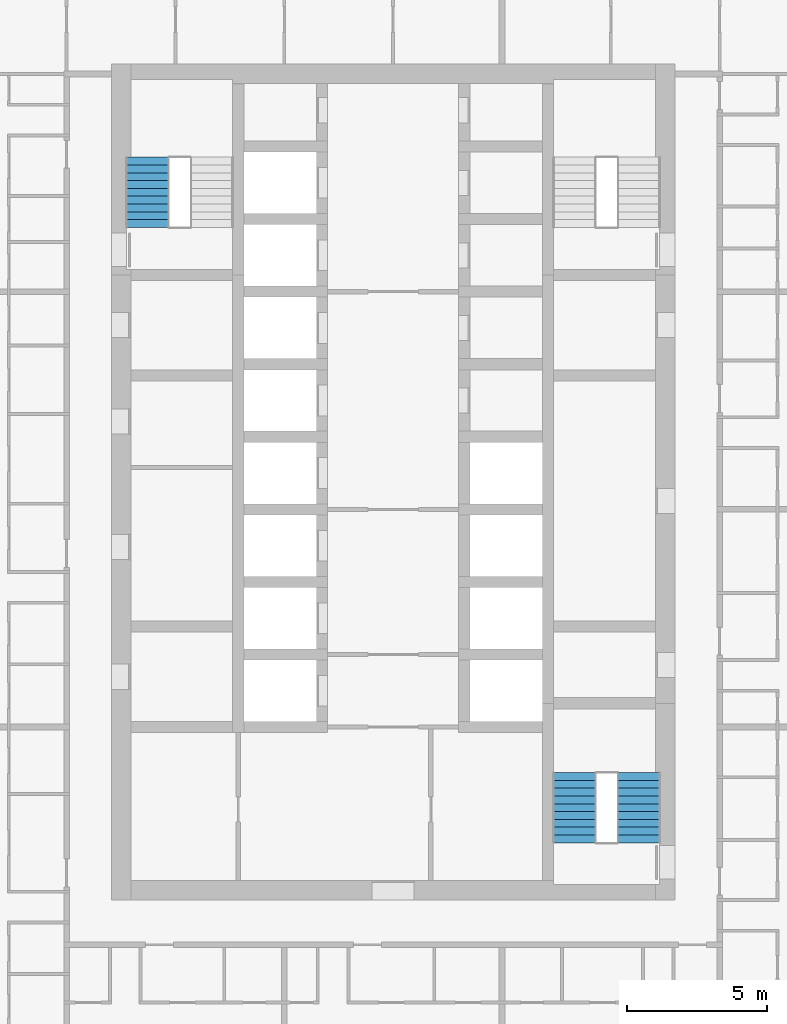
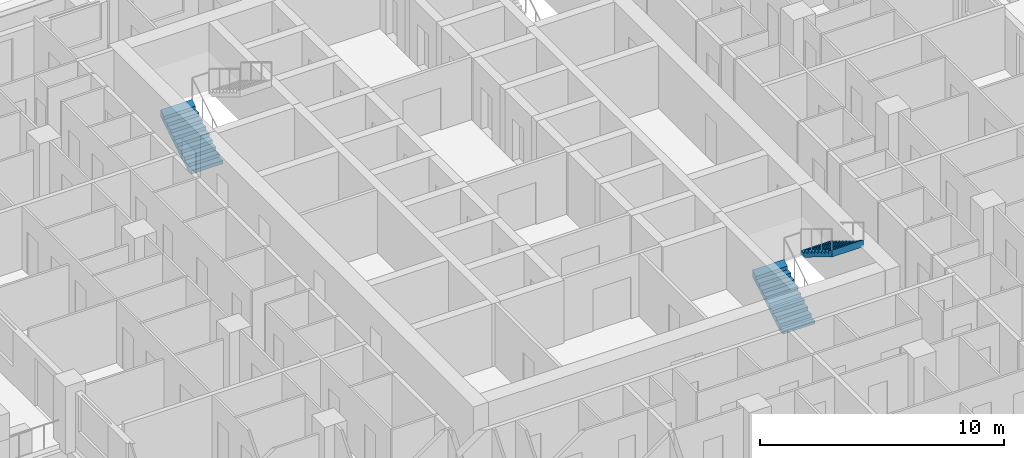
# One storey, part 15 of 19: 3 stair flights, 2 elements without a shape of their own.
"""IFC4 building model written with IfcOpenShell, lengths in metres."""

from ifc_helpers import new_model, si_unit, direction, frame, origin, place, context, subcontext, project, spatial, triangles, material, type_object, element, aggregate, save


model = new_model("IFC4")

# Units and contexts
model_context = context("Model", 3, precision=1e-05, world=origin(), true_north=direction((0.0, 1.0)))
body_context = subcontext(model_context, "Body", "Model", "MODEL_VIEW")
ifc_project = project(units=[si_unit("LENGTHUNIT", "METRE"), si_unit("AREAUNIT", "SQUARE_METRE"), si_unit("VOLUMEUNIT", "CUBIC_METRE"), si_unit("PLANEANGLEUNIT", "RADIAN"), si_unit("MASSUNIT", "GRAM", prefix="KILO")], contexts=[model_context])

# Site, building, storey
site_placement = place(None, origin())
site = spatial("IfcSite", under=ifc_project, at=site_placement, CompositionType="ELEMENT")
building_placement = place(site_placement, origin())
building = spatial("IfcBuilding", under=site, at=building_placement, Name="Ludao Terraces", CompositionType="ELEMENT")
storey_placement = place(building_placement, frame((0.0, 0.0, 81.800048828125)))
storey = spatial("IfcBuildingStorey", under=building, at=storey_placement, Name="L22", CompositionType="ELEMENT", Elevation=81.800048828125)

# Stair, stair flight
ifc_material = material(Name="Concrete C40", Category="concrete")
stair_type = type_object("IfcStairType", Name="INT Stair", PredefinedType="HALF_TURN_STAIR", material=ifc_material)
stair_1_placement = place(storey_placement, origin())
stair_1 = element("IfcStair", 1, at=stair_1_placement, inside=storey, type_object=stair_type, Name="EXIT STAIR 1", PredefinedType="HALF_TURN_STAIR")
stair_flight_type = type_object("IfcStairFlightType", Name="INT Stair flight", PredefinedType="STRAIGHT", material=ifc_material)
stair_flight_1_placement = place(storey_placement, frame((76.199951171875, 79.0, 0.0), z_axis=(0.0, 0.0, 1.0), x_axis=(0.0, 1.0, 0.0)))
stair_flight_1 = element("IfcStairFlight", 2, at=stair_flight_1_placement, type_object=stair_flight_type, Name="ST1 flight 1", NumberOfRisers=10, NumberOfTreads=9, PredefinedType="STRAIGHT", RiserHeight=0.17, TreadLength=0.28, context=body_context, shape_type="Tessellation", body=[
    triangles([(0.0, -0.75, 0.0), (0.0, -0.5, 0.0), (0.0, -0.25, 0.0), (0.0, 0.0, 0.0), (0.0, 0.25, 0.0), (0.0, 0.5, 0.0), (0.0, 0.75, 0.0), (0.0, -0.75, 0.169921875), (0.0, -0.5, 0.169921875), (0.0, -0.25, 0.169921875), (0.0, 0.0, 0.169921875), (0.0, 0.25, 0.169921875), (0.0, 0.5, 0.169921875), (0.0, 0.75, 0.169921875), (0.280029296875, -0.75, 0.169921875), (0.280029296875, -0.5, 0.169921875), (0.280029296875, -0.25, 0.169921875), (0.280029296875, 0.0, 0.169921875), (0.280029296875, 0.25, 0.169921875), (0.280029296875, 0.5, 0.169921875), (0.280029296875, 0.75, 0.169921875), (0.280029296875, -0.75, 0.340087890625), (0.280029296875, -0.5, 0.340087890625), (0.280029296875, -0.25, 0.340087890625), (0.280029296875, 0.0, 0.340087890625), (0.280029296875, 0.25, 0.340087890625), (0.280029296875, 0.5, 0.340087890625), (0.280029296875, 0.75, 0.340087890625), (0.56005859375, -0.75, 0.340087890625), (0.56005859375, -0.5, 0.340087890625), (0.56005859375, -0.25, 0.340087890625), (0.56005859375, 0.0, 0.340087890625), (0.56005859375, 0.25, 0.340087890625), (0.56005859375, 0.5, 0.340087890625), (0.56005859375, 0.75, 0.340087890625), (0.56005859375, -0.75, 0.510009765625), (0.56005859375, -0.5, 0.510009765625), (0.56005859375, -0.25, 0.510009765625), (0.56005859375, 0.0, 0.510009765625), (0.56005859375, 0.25, 0.510009765625), (0.56005859375, 0.5, 0.510009765625), (0.56005859375, 0.75, 0.510009765625), (0.840087890625, -0.75, 0.510009765625), (0.840087890625, -0.5, 0.510009765625), (0.840087890625, -0.25, 0.510009765625), (0.840087890625, 0.0, 0.510009765625), (0.840087890625, 0.25, 0.510009765625), (0.840087890625, 0.5, 0.510009765625), (0.840087890625, 0.75, 0.510009765625), (0.840087890625, -0.75, 0.679931640625), (0.840087890625, -0.5, 0.679931640625), (0.840087890625, -0.25, 0.679931640625), (0.840087890625, 0.0, 0.679931640625), (0.840087890625, 0.25, 0.679931640625), (0.840087890625, 0.5, 0.679931640625), (0.840087890625, 0.75, 0.679931640625), (1.1201171875, -0.75, 0.679931640625), (1.1201171875, -0.5, 0.679931640625), (1.1201171875, -0.25, 0.679931640625), (1.1201171875, 0.0, 0.679931640625), (1.1201171875, 0.25, 0.679931640625), (1.1201171875, 0.5, 0.679931640625), (1.1201171875, 0.75, 0.679931640625), (1.1201171875, -0.75, 0.85009765625), (1.1201171875, -0.5, 0.85009765625), (1.1201171875, -0.25, 0.85009765625), (1.1201171875, 0.0, 0.85009765625), (1.1201171875, 0.25, 0.85009765625), (1.1201171875, 0.5, 0.85009765625), (1.1201171875, 0.75, 0.85009765625), (1.39990234375, -0.75, 0.85009765625), (1.39990234375, -0.5, 0.85009765625), (1.39990234375, -0.25, 0.85009765625), (1.39990234375, 0.0, 0.85009765625), (1.39990234375, 0.25, 0.85009765625), (1.39990234375, 0.5, 0.85009765625), (1.39990234375, 0.75, 0.85009765625), (1.39990234375, -0.75, 1.02001953125), (1.39990234375, -0.5, 1.02001953125), (1.39990234375, -0.25, 1.02001953125), (1.39990234375, 0.0, 1.02001953125), (1.39990234375, 0.25, 1.02001953125), (1.39990234375, 0.5, 1.02001953125), (1.39990234375, 0.75, 1.02001953125), (1.679931640625, -0.75, 1.02001953125), (1.679931640625, -0.5, 1.02001953125), (1.679931640625, -0.25, 1.02001953125), (1.679931640625, 0.0, 1.02001953125), (1.679931640625, 0.25, 1.02001953125), (1.679931640625, 0.5, 1.02001953125), (1.679931640625, 0.75, 1.02001953125), (1.679931640625, -0.75, 1.18994140625), (1.679931640625, -0.5, 1.18994140625), (1.679931640625, -0.25, 1.18994140625), (1.679931640625, 0.0, 1.18994140625), (1.679931640625, 0.25, 1.18994140625), (1.679931640625, 0.5, 1.18994140625), (1.679931640625, 0.75, 1.18994140625), (1.9599609375, -0.75, 1.18994140625), (1.9599609375, -0.5, 1.18994140625), (1.9599609375, -0.25, 1.18994140625), (1.9599609375, 0.0, 1.18994140625), (1.9599609375, 0.25, 1.18994140625), (1.9599609375, 0.5, 1.18994140625), (1.9599609375, 0.75, 1.18994140625), (1.9599609375, -0.75, 1.360107421875), (1.9599609375, -0.5, 1.360107421875), (1.9599609375, -0.25, 1.360107421875), (1.9599609375, 0.0, 1.360107421875), (1.9599609375, 0.25, 1.360107421875), (1.9599609375, 0.5, 1.360107421875), (1.9599609375, 0.75, 1.360107421875), (2.239990234375, -0.75, 1.360107421875), (2.239990234375, -0.5, 1.360107421875), (2.239990234375, -0.25, 1.360107421875), (2.239990234375, 0.0, 1.360107421875), (2.239990234375, 0.25, 1.360107421875), (2.239990234375, 0.5, 1.360107421875), (2.239990234375, 0.75, 1.360107421875), (2.239990234375, -0.75, 1.530029296875), (2.239990234375, -0.5, 1.530029296875), (2.239990234375, -0.25, 1.530029296875), (2.239990234375, 0.0, 1.530029296875), (2.239990234375, 0.25, 1.530029296875), (2.239990234375, 0.5, 1.530029296875), (2.239990234375, 0.75, 1.530029296875), (2.52001953125, -0.75, 1.699951171875), (2.52001953125, -0.5, 1.699951171875), (2.52001953125, -0.25, 1.699951171875), (2.52001953125, 0.0, 1.699951171875), (2.52001953125, 0.25, 1.699951171875), (2.52001953125, 0.5, 1.699951171875), (2.52001953125, 0.75, 1.699951171875), (2.52001953125, -0.75, 1.354736328125), (2.52001953125, -0.5, 1.354736328125), (2.52001953125, -0.25, 1.354736328125), (2.52001953125, 0.0, 1.354736328125), (2.52001953125, 0.25, 1.354736328125), (2.52001953125, 0.5, 1.354736328125), (2.52001953125, 0.75, 1.354736328125), (0.288818359375, -0.75, 0.0), (0.288818359375, -0.5, 0.0), (0.288818359375, -0.25, 0.0), (0.288818359375, 0.0, 0.0), (0.288818359375, 0.25, 0.0), (0.288818359375, 0.5, 0.0), (0.288818359375, 0.75, 0.0)], [[1, 141, 134], [7, 140, 147], [134, 127, 120], [140, 126, 133], [134, 120, 113], [140, 119, 126], [134, 113, 106], [140, 112, 119], [134, 106, 99], [140, 105, 112], [99, 92, 85], [105, 91, 98], [134, 99, 85], [140, 91, 105], [85, 78, 71], [91, 77, 84], [134, 85, 71], [140, 77, 91], [71, 64, 57], [77, 63, 70], [134, 71, 57], [140, 63, 77], [57, 50, 43], [63, 49, 56], [134, 57, 43], [140, 49, 63], [43, 36, 29], [49, 35, 42], [134, 43, 29], [140, 35, 49], [29, 22, 15], [35, 21, 28], [134, 29, 15], [140, 21, 35], [1, 134, 15], [7, 21, 140], [15, 8, 1], [21, 7, 14], [1, 9, 2], [1, 8, 9], [2, 10, 3], [2, 9, 10], [3, 11, 4], [3, 10, 11], [4, 12, 5], [4, 11, 12], [5, 13, 6], [5, 12, 13], [6, 14, 7], [6, 13, 14], [8, 16, 9], [8, 15, 16], [9, 17, 10], [9, 16, 17], [10, 18, 11], [10, 17, 18], [11, 19, 12], [11, 18, 19], [12, 20, 13], [12, 19, 20], [13, 21, 14], [13, 20, 21], [15, 23, 16], [15, 22, 23], [16, 24, 17], [16, 23, 24], [17, 25, 18], [17, 24, 25], [18, 26, 19], [18, 25, 26], [19, 27, 20], [19, 26, 27], [20, 28, 21], [20, 27, 28], [22, 30, 23], [22, 29, 30], [23, 31, 24], [23, 30, 31], [24, 32, 25], [24, 31, 32], [25, 33, 26], [25, 32, 33], [26, 34, 27], [26, 33, 34], [27, 35, 28], [27, 34, 35], [29, 37, 30], [29, 36, 37], [30, 38, 31], [30, 37, 38], [31, 39, 32], [31, 38, 39], [32, 40, 33], [32, 39, 40], [33, 41, 34], [33, 40, 41], [34, 42, 35], [34, 41, 42], [36, 44, 37], [36, 43, 44], [37, 45, 38], [37, 44, 45], [38, 46, 39], [38, 45, 46], [39, 47, 40], [39, 46, 47], [40, 48, 41], [40, 47, 48], [41, 49, 42], [41, 48, 49], [43, 51, 44], [43, 50, 51], [44, 52, 45], [44, 51, 52], [45, 53, 46], [45, 52, 53], [46, 54, 47], [46, 53, 54], [47, 55, 48], [47, 54, 55], [48, 56, 49], [48, 55, 56], [50, 58, 51], [50, 57, 58], [51, 59, 52], [51, 58, 59], [52, 60, 53], [52, 59, 60], [53, 61, 54], [53, 60, 61], [54, 62, 55], [54, 61, 62], [55, 63, 56], [55, 62, 63], [57, 65, 58], [57, 64, 65], [58, 66, 59], [58, 65, 66], [59, 67, 60], [59, 66, 67], [60, 68, 61], [60, 67, 68], [61, 69, 62], [61, 68, 69], [62, 70, 63], [62, 69, 70], [64, 72, 65], [64, 71, 72], [65, 73, 66], [65, 72, 73], [66, 74, 67], [66, 73, 74], [67, 75, 68], [67, 74, 75], [68, 76, 69], [68, 75, 76], [69, 77, 70], [69, 76, 77], [71, 79, 72], [71, 78, 79], [72, 80, 73], [72, 79, 80], [73, 81, 74], [73, 80, 81], [74, 82, 75], [74, 81, 82], [75, 83, 76], [75, 82, 83], [76, 84, 77], [76, 83, 84], [78, 86, 79], [78, 85, 86], [79, 87, 80], [79, 86, 87], [80, 88, 81], [80, 87, 88], [81, 89, 82], [81, 88, 89], [82, 90, 83], [82, 89, 90], [83, 91, 84], [83, 90, 91], [85, 93, 86], [85, 92, 93], [86, 94, 87], [86, 93, 94], [87, 95, 88], [87, 94, 95], [88, 96, 89], [88, 95, 96], [89, 97, 90], [89, 96, 97], [90, 98, 91], [90, 97, 98], [92, 100, 93], [92, 99, 100], [93, 101, 94], [93, 100, 101], [94, 102, 95], [94, 101, 102], [95, 103, 96], [95, 102, 103], [96, 104, 97], [96, 103, 104], [97, 105, 98], [97, 104, 105], [99, 107, 100], [99, 106, 107], [100, 108, 101], [100, 107, 108], [101, 109, 102], [101, 108, 109], [102, 110, 103], [102, 109, 110], [103, 111, 104], [103, 110, 111], [104, 112, 105], [104, 111, 112], [106, 114, 107], [106, 113, 114], [107, 115, 108], [107, 114, 115], [108, 116, 109], [108, 115, 116], [109, 117, 110], [109, 116, 117], [110, 118, 111], [110, 117, 118], [111, 119, 112], [111, 118, 119], [113, 121, 114], [113, 120, 121], [114, 122, 115], [114, 121, 122], [115, 123, 116], [115, 122, 123], [116, 124, 117], [116, 123, 124], [117, 125, 118], [117, 124, 125], [118, 126, 119], [118, 125, 126], [120, 128, 121], [120, 127, 128], [121, 129, 122], [121, 128, 129], [122, 130, 123], [122, 129, 130], [123, 131, 124], [123, 130, 131], [124, 132, 125], [124, 131, 132], [125, 133, 126], [125, 132, 133], [127, 135, 128], [127, 134, 135], [128, 136, 129], [128, 135, 136], [129, 137, 130], [129, 136, 137], [130, 138, 131], [130, 137, 138], [131, 139, 132], [131, 138, 139], [132, 140, 133], [132, 139, 140], [134, 142, 135], [134, 141, 142], [135, 143, 136], [135, 142, 143], [136, 144, 137], [136, 143, 144], [137, 145, 138], [137, 144, 145], [138, 146, 139], [138, 145, 146], [139, 147, 140], [139, 146, 147], [141, 2, 142], [141, 1, 2], [142, 3, 143], [142, 2, 3], [143, 4, 144], [143, 3, 4], [144, 5, 145], [144, 4, 5], [145, 6, 146], [145, 5, 6], [146, 7, 147], [146, 6, 7]], closed=True),
])
aggregate(stair_1, [stair_flight_1])

# Stair, stair flights
stair_2_placement = place(storey_placement, origin())
stair_2 = element("IfcStair", 3, at=stair_2_placement, inside=storey, type_object=stair_type, Name="EXIT STAIR 3", PredefinedType="HALF_TURN_STAIR")
stair_flight_2_placement = place(storey_placement, frame((91.5, 56.949951171875, 0.0), z_axis=(0.0, 0.0, 1.0), x_axis=(0.0, 1.0, 0.0)))
stair_flight_2 = element("IfcStairFlight", 4, at=stair_flight_2_placement, type_object=stair_flight_type, Name="ST3 flight 1", NumberOfRisers=10, NumberOfTreads=9, PredefinedType="STRAIGHT", RiserHeight=0.17, TreadLength=0.28, context=body_context, shape_type="Tessellation", body=[
    triangles([(0.0, -0.75, 0.0), (0.0, -0.5, 0.0), (0.0, -0.25, 0.0), (0.0, 0.0, 0.0), (0.0, 0.25, 0.0), (0.0, 0.5, 0.0), (0.0, 0.75, 0.0), (0.0, -0.75, 0.169921875), (0.0, -0.5, 0.169921875), (0.0, -0.25, 0.169921875), (0.0, 0.0, 0.169921875), (0.0, 0.25, 0.169921875), (0.0, 0.5, 0.169921875), (0.0, 0.75, 0.169921875), (0.280029296875, -0.75, 0.169921875), (0.280029296875, -0.5, 0.169921875), (0.280029296875, -0.25, 0.169921875), (0.280029296875, 0.0, 0.169921875), (0.280029296875, 0.25, 0.169921875), (0.280029296875, 0.5, 0.169921875), (0.280029296875, 0.75, 0.169921875), (0.280029296875, -0.75, 0.340087890625), (0.280029296875, -0.5, 0.340087890625), (0.280029296875, -0.25, 0.340087890625), (0.280029296875, 0.0, 0.340087890625), (0.280029296875, 0.25, 0.340087890625), (0.280029296875, 0.5, 0.340087890625), (0.280029296875, 0.75, 0.340087890625), (0.56005859375, -0.75, 0.340087890625), (0.56005859375, -0.5, 0.340087890625), (0.56005859375, -0.25, 0.340087890625), (0.56005859375, 0.0, 0.340087890625), (0.56005859375, 0.25, 0.340087890625), (0.56005859375, 0.5, 0.340087890625), (0.56005859375, 0.75, 0.340087890625), (0.56005859375, -0.75, 0.510009765625), (0.56005859375, -0.5, 0.510009765625), (0.56005859375, -0.25, 0.510009765625), (0.56005859375, 0.0, 0.510009765625), (0.56005859375, 0.25, 0.510009765625), (0.56005859375, 0.5, 0.510009765625), (0.56005859375, 0.75, 0.510009765625), (0.840087890625, -0.75, 0.510009765625), (0.840087890625, -0.5, 0.510009765625), (0.840087890625, -0.25, 0.510009765625), (0.840087890625, 0.0, 0.510009765625), (0.840087890625, 0.25, 0.510009765625), (0.840087890625, 0.5, 0.510009765625), (0.840087890625, 0.75, 0.510009765625), (0.840087890625, -0.75, 0.679931640625), (0.840087890625, -0.5, 0.679931640625), (0.840087890625, -0.25, 0.679931640625), (0.840087890625, 0.0, 0.679931640625), (0.840087890625, 0.25, 0.679931640625), (0.840087890625, 0.5, 0.679931640625), (0.840087890625, 0.75, 0.679931640625), (1.1201171875, -0.75, 0.679931640625), (1.1201171875, -0.5, 0.679931640625), (1.1201171875, -0.25, 0.679931640625), (1.1201171875, 0.0, 0.679931640625), (1.1201171875, 0.25, 0.679931640625), (1.1201171875, 0.5, 0.679931640625), (1.1201171875, 0.75, 0.679931640625), (1.1201171875, -0.75, 0.85009765625), (1.1201171875, -0.5, 0.85009765625), (1.1201171875, -0.25, 0.85009765625), (1.1201171875, 0.0, 0.85009765625), (1.1201171875, 0.25, 0.85009765625), (1.1201171875, 0.5, 0.85009765625), (1.1201171875, 0.75, 0.85009765625), (1.39990234375, -0.75, 0.85009765625), (1.39990234375, -0.5, 0.85009765625), (1.39990234375, -0.25, 0.85009765625), (1.39990234375, 0.0, 0.85009765625), (1.39990234375, 0.25, 0.85009765625), (1.39990234375, 0.5, 0.85009765625), (1.39990234375, 0.75, 0.85009765625), (1.39990234375, -0.75, 1.02001953125), (1.39990234375, -0.5, 1.02001953125), (1.39990234375, -0.25, 1.02001953125), (1.39990234375, 0.0, 1.02001953125), (1.39990234375, 0.25, 1.02001953125), (1.39990234375, 0.5, 1.02001953125), (1.39990234375, 0.75, 1.02001953125), (1.679931640625, -0.75, 1.02001953125), (1.679931640625, -0.5, 1.02001953125), (1.679931640625, -0.25, 1.02001953125), (1.679931640625, 0.0, 1.02001953125), (1.679931640625, 0.25, 1.02001953125), (1.679931640625, 0.5, 1.02001953125), (1.679931640625, 0.75, 1.02001953125), (1.679931640625, -0.75, 1.18994140625), (1.679931640625, -0.5, 1.18994140625), (1.679931640625, -0.25, 1.18994140625), (1.679931640625, 0.0, 1.18994140625), (1.679931640625, 0.25, 1.18994140625), (1.679931640625, 0.5, 1.18994140625), (1.679931640625, 0.75, 1.18994140625), (1.9599609375, -0.75, 1.18994140625), (1.9599609375, -0.5, 1.18994140625), (1.9599609375, -0.25, 1.18994140625), (1.9599609375, 0.0, 1.18994140625), (1.9599609375, 0.25, 1.18994140625), (1.9599609375, 0.5, 1.18994140625), (1.9599609375, 0.75, 1.18994140625), (1.9599609375, -0.75, 1.360107421875), (1.9599609375, -0.5, 1.360107421875), (1.9599609375, -0.25, 1.360107421875), (1.9599609375, 0.0, 1.360107421875), (1.9599609375, 0.25, 1.360107421875), (1.9599609375, 0.5, 1.360107421875), (1.9599609375, 0.75, 1.360107421875), (2.239990234375, -0.75, 1.360107421875), (2.239990234375, -0.5, 1.360107421875), (2.239990234375, -0.25, 1.360107421875), (2.239990234375, 0.0, 1.360107421875), (2.239990234375, 0.25, 1.360107421875), (2.239990234375, 0.5, 1.360107421875), (2.239990234375, 0.75, 1.360107421875), (2.239990234375, -0.75, 1.530029296875), (2.239990234375, -0.5, 1.530029296875), (2.239990234375, -0.25, 1.530029296875), (2.239990234375, 0.0, 1.530029296875), (2.239990234375, 0.25, 1.530029296875), (2.239990234375, 0.5, 1.530029296875), (2.239990234375, 0.75, 1.530029296875), (2.52001953125, -0.75, 1.699951171875), (2.52001953125, -0.5, 1.699951171875), (2.52001953125, -0.25, 1.699951171875), (2.52001953125, 0.0, 1.699951171875), (2.52001953125, 0.25, 1.699951171875), (2.52001953125, 0.5, 1.699951171875), (2.52001953125, 0.75, 1.699951171875), (2.52001953125, -0.75, 1.354736328125), (2.52001953125, -0.5, 1.354736328125), (2.52001953125, -0.25, 1.354736328125), (2.52001953125, 0.0, 1.354736328125), (2.52001953125, 0.25, 1.354736328125), (2.52001953125, 0.5, 1.354736328125), (2.52001953125, 0.75, 1.354736328125), (0.288818359375, -0.75, 0.0), (0.288818359375, -0.5, 0.0), (0.288818359375, -0.25, 0.0), (0.288818359375, 0.0, 0.0), (0.288818359375, 0.25, 0.0), (0.288818359375, 0.5, 0.0), (0.288818359375, 0.75, 0.0)], [[1, 141, 134], [7, 140, 147], [134, 127, 120], [140, 126, 133], [134, 120, 113], [140, 119, 126], [134, 113, 106], [140, 112, 119], [134, 106, 99], [140, 105, 112], [99, 92, 85], [105, 91, 98], [134, 99, 85], [140, 91, 105], [85, 78, 71], [91, 77, 84], [134, 85, 71], [140, 77, 91], [71, 64, 57], [77, 63, 70], [134, 71, 57], [140, 63, 77], [57, 50, 43], [63, 49, 56], [134, 57, 43], [140, 49, 63], [43, 36, 29], [49, 35, 42], [134, 43, 29], [140, 35, 49], [29, 22, 15], [35, 21, 28], [134, 29, 15], [140, 21, 35], [1, 134, 15], [7, 21, 140], [15, 8, 1], [21, 7, 14], [1, 9, 2], [1, 8, 9], [2, 10, 3], [2, 9, 10], [3, 11, 4], [3, 10, 11], [4, 12, 5], [4, 11, 12], [5, 13, 6], [5, 12, 13], [6, 14, 7], [6, 13, 14], [8, 16, 9], [8, 15, 16], [9, 17, 10], [9, 16, 17], [10, 18, 11], [10, 17, 18], [11, 19, 12], [11, 18, 19], [12, 20, 13], [12, 19, 20], [13, 21, 14], [13, 20, 21], [15, 23, 16], [15, 22, 23], [16, 24, 17], [16, 23, 24], [17, 25, 18], [17, 24, 25], [18, 26, 19], [18, 25, 26], [19, 27, 20], [19, 26, 27], [20, 28, 21], [20, 27, 28], [22, 30, 23], [22, 29, 30], [23, 31, 24], [23, 30, 31], [24, 32, 25], [24, 31, 32], [25, 33, 26], [25, 32, 33], [26, 34, 27], [26, 33, 34], [27, 35, 28], [27, 34, 35], [29, 37, 30], [29, 36, 37], [30, 38, 31], [30, 37, 38], [31, 39, 32], [31, 38, 39], [32, 40, 33], [32, 39, 40], [33, 41, 34], [33, 40, 41], [34, 42, 35], [34, 41, 42], [36, 44, 37], [36, 43, 44], [37, 45, 38], [37, 44, 45], [38, 46, 39], [38, 45, 46], [39, 47, 40], [39, 46, 47], [40, 48, 41], [40, 47, 48], [41, 49, 42], [41, 48, 49], [43, 51, 44], [43, 50, 51], [44, 52, 45], [44, 51, 52], [45, 53, 46], [45, 52, 53], [46, 54, 47], [46, 53, 54], [47, 55, 48], [47, 54, 55], [48, 56, 49], [48, 55, 56], [50, 58, 51], [50, 57, 58], [51, 59, 52], [51, 58, 59], [52, 60, 53], [52, 59, 60], [53, 61, 54], [53, 60, 61], [54, 62, 55], [54, 61, 62], [55, 63, 56], [55, 62, 63], [57, 65, 58], [57, 64, 65], [58, 66, 59], [58, 65, 66], [59, 67, 60], [59, 66, 67], [60, 68, 61], [60, 67, 68], [61, 69, 62], [61, 68, 69], [62, 70, 63], [62, 69, 70], [64, 72, 65], [64, 71, 72], [65, 73, 66], [65, 72, 73], [66, 74, 67], [66, 73, 74], [67, 75, 68], [67, 74, 75], [68, 76, 69], [68, 75, 76], [69, 77, 70], [69, 76, 77], [71, 79, 72], [71, 78, 79], [72, 80, 73], [72, 79, 80], [73, 81, 74], [73, 80, 81], [74, 82, 75], [74, 81, 82], [75, 83, 76], [75, 82, 83], [76, 84, 77], [76, 83, 84], [78, 86, 79], [78, 85, 86], [79, 87, 80], [79, 86, 87], [80, 88, 81], [80, 87, 88], [81, 89, 82], [81, 88, 89], [82, 90, 83], [82, 89, 90], [83, 91, 84], [83, 90, 91], [85, 93, 86], [85, 92, 93], [86, 94, 87], [86, 93, 94], [87, 95, 88], [87, 94, 95], [88, 96, 89], [88, 95, 96], [89, 97, 90], [89, 96, 97], [90, 98, 91], [90, 97, 98], [92, 100, 93], [92, 99, 100], [93, 101, 94], [93, 100, 101], [94, 102, 95], [94, 101, 102], [95, 103, 96], [95, 102, 103], [96, 104, 97], [96, 103, 104], [97, 105, 98], [97, 104, 105], [99, 107, 100], [99, 106, 107], [100, 108, 101], [100, 107, 108], [101, 109, 102], [101, 108, 109], [102, 110, 103], [102, 109, 110], [103, 111, 104], [103, 110, 111], [104, 112, 105], [104, 111, 112], [106, 114, 107], [106, 113, 114], [107, 115, 108], [107, 114, 115], [108, 116, 109], [108, 115, 116], [109, 117, 110], [109, 116, 117], [110, 118, 111], [110, 117, 118], [111, 119, 112], [111, 118, 119], [113, 121, 114], [113, 120, 121], [114, 122, 115], [114, 121, 122], [115, 123, 116], [115, 122, 123], [116, 124, 117], [116, 123, 124], [117, 125, 118], [117, 124, 125], [118, 126, 119], [118, 125, 126], [120, 128, 121], [120, 127, 128], [121, 129, 122], [121, 128, 129], [122, 130, 123], [122, 129, 130], [123, 131, 124], [123, 130, 131], [124, 132, 125], [124, 131, 132], [125, 133, 126], [125, 132, 133], [127, 135, 128], [127, 134, 135], [128, 136, 129], [128, 135, 136], [129, 137, 130], [129, 136, 137], [130, 138, 131], [130, 137, 138], [131, 139, 132], [131, 138, 139], [132, 140, 133], [132, 139, 140], [134, 142, 135], [134, 141, 142], [135, 143, 136], [135, 142, 143], [136, 144, 137], [136, 143, 144], [137, 145, 138], [137, 144, 145], [138, 146, 139], [138, 145, 146], [139, 147, 140], [139, 146, 147], [141, 2, 142], [141, 1, 2], [142, 3, 143], [142, 2, 3], [143, 4, 144], [143, 3, 4], [144, 5, 145], [144, 4, 5], [145, 6, 146], [145, 5, 6], [146, 7, 147], [146, 6, 7]], closed=True),
])
stair_flight_3_placement = place(storey_placement, frame((93.800048828125, 59.469970703125, 1.699951171875), z_axis=(0.0, 0.0, 1.0), x_axis=(0.0, -1.0, 0.0)))
stair_flight_3 = element("IfcStairFlight", 5, at=stair_flight_3_placement, type_object=stair_flight_type, Name="ST3 flight 2", NumberOfRisers=10, NumberOfTreads=9, PredefinedType="STRAIGHT", RiserHeight=0.17, TreadLength=0.28, context=body_context, shape_type="Tessellation", body=[
    triangles([(0.0, -0.75, 0.0), (0.0, -0.5, 0.0), (0.0, -0.25, 0.0), (0.0, 0.0, 0.0), (0.0, 0.25, 0.0), (0.0, 0.5, 0.0), (0.0, 0.75, 0.0), (0.0, -0.75, 0.169921875), (0.0, -0.5, 0.169921875), (0.0, -0.25, 0.169921875), (0.0, 0.0, 0.169921875), (0.0, 0.25, 0.169921875), (0.0, 0.5, 0.169921875), (0.0, 0.75, 0.169921875), (0.280029296875, -0.75, 0.169921875), (0.280029296875, -0.5, 0.169921875), (0.280029296875, -0.25, 0.169921875), (0.280029296875, 0.0, 0.169921875), (0.280029296875, 0.25, 0.169921875), (0.280029296875, 0.5, 0.169921875), (0.280029296875, 0.75, 0.169921875), (0.280029296875, -0.75, 0.340087890625), (0.280029296875, -0.5, 0.340087890625), (0.280029296875, -0.25, 0.340087890625), (0.280029296875, 0.0, 0.340087890625), (0.280029296875, 0.25, 0.340087890625), (0.280029296875, 0.5, 0.340087890625), (0.280029296875, 0.75, 0.340087890625), (0.56005859375, -0.75, 0.340087890625), (0.56005859375, -0.5, 0.340087890625), (0.56005859375, -0.25, 0.340087890625), (0.56005859375, 0.0, 0.340087890625), (0.56005859375, 0.25, 0.340087890625), (0.56005859375, 0.5, 0.340087890625), (0.56005859375, 0.75, 0.340087890625), (0.56005859375, -0.75, 0.510009765625), (0.56005859375, -0.5, 0.510009765625), (0.56005859375, -0.25, 0.510009765625), (0.56005859375, 0.0, 0.510009765625), (0.56005859375, 0.25, 0.510009765625), (0.56005859375, 0.5, 0.510009765625), (0.56005859375, 0.75, 0.510009765625), (0.840087890625, -0.75, 0.510009765625), (0.840087890625, -0.5, 0.510009765625), (0.840087890625, -0.25, 0.510009765625), (0.840087890625, 0.0, 0.510009765625), (0.840087890625, 0.25, 0.510009765625), (0.840087890625, 0.5, 0.510009765625), (0.840087890625, 0.75, 0.510009765625), (0.840087890625, -0.75, 0.679931640625), (0.840087890625, -0.5, 0.679931640625), (0.840087890625, -0.25, 0.679931640625), (0.840087890625, 0.0, 0.679931640625), (0.840087890625, 0.25, 0.679931640625), (0.840087890625, 0.5, 0.679931640625), (0.840087890625, 0.75, 0.679931640625), (1.1201171875, -0.75, 0.679931640625), (1.1201171875, -0.5, 0.679931640625), (1.1201171875, -0.25, 0.679931640625), (1.1201171875, 0.0, 0.679931640625), (1.1201171875, 0.25, 0.679931640625), (1.1201171875, 0.5, 0.679931640625), (1.1201171875, 0.75, 0.679931640625), (1.1201171875, -0.75, 0.85009765625), (1.1201171875, -0.5, 0.85009765625), (1.1201171875, -0.25, 0.85009765625), (1.1201171875, 0.0, 0.85009765625), (1.1201171875, 0.25, 0.85009765625), (1.1201171875, 0.5, 0.85009765625), (1.1201171875, 0.75, 0.85009765625), (1.39990234375, -0.75, 0.85009765625), (1.39990234375, -0.5, 0.85009765625), (1.39990234375, -0.25, 0.85009765625), (1.39990234375, 0.0, 0.85009765625), (1.39990234375, 0.25, 0.85009765625), (1.39990234375, 0.5, 0.85009765625), (1.39990234375, 0.75, 0.85009765625), (1.39990234375, -0.75, 1.02001953125), (1.39990234375, -0.5, 1.02001953125), (1.39990234375, -0.25, 1.02001953125), (1.39990234375, 0.0, 1.02001953125), (1.39990234375, 0.25, 1.02001953125), (1.39990234375, 0.5, 1.02001953125), (1.39990234375, 0.75, 1.02001953125), (1.679931640625, -0.75, 1.02001953125), (1.679931640625, -0.5, 1.02001953125), (1.679931640625, -0.25, 1.02001953125), (1.679931640625, 0.0, 1.02001953125), (1.679931640625, 0.25, 1.02001953125), (1.679931640625, 0.5, 1.02001953125), (1.679931640625, 0.75, 1.02001953125), (1.679931640625, -0.75, 1.18994140625), (1.679931640625, -0.5, 1.18994140625), (1.679931640625, -0.25, 1.18994140625), (1.679931640625, 0.0, 1.18994140625), (1.679931640625, 0.25, 1.18994140625), (1.679931640625, 0.5, 1.18994140625), (1.679931640625, 0.75, 1.18994140625), (1.9599609375, -0.75, 1.18994140625), (1.9599609375, -0.5, 1.18994140625), (1.9599609375, -0.25, 1.18994140625), (1.9599609375, 0.0, 1.18994140625), (1.9599609375, 0.25, 1.18994140625), (1.9599609375, 0.5, 1.18994140625), (1.9599609375, 0.75, 1.18994140625), (1.9599609375, -0.75, 1.360107421875), (1.9599609375, -0.5, 1.360107421875), (1.9599609375, -0.25, 1.360107421875), (1.9599609375, 0.0, 1.360107421875), (1.9599609375, 0.25, 1.360107421875), (1.9599609375, 0.5, 1.360107421875), (1.9599609375, 0.75, 1.360107421875), (2.239990234375, -0.75, 1.360107421875), (2.239990234375, -0.5, 1.360107421875), (2.239990234375, -0.25, 1.360107421875), (2.239990234375, 0.0, 1.360107421875), (2.239990234375, 0.25, 1.360107421875), (2.239990234375, 0.5, 1.360107421875), (2.239990234375, 0.75, 1.360107421875), (2.239990234375, -0.75, 1.530029296875), (2.239990234375, -0.5, 1.530029296875), (2.239990234375, -0.25, 1.530029296875), (2.239990234375, 0.0, 1.530029296875), (2.239990234375, 0.25, 1.530029296875), (2.239990234375, 0.5, 1.530029296875), (2.239990234375, 0.75, 1.530029296875), (2.52001953125, -0.75, 1.699951171875), (2.52001953125, -0.5, 1.699951171875), (2.52001953125, -0.25, 1.699951171875), (2.52001953125, 0.0, 1.699951171875), (2.52001953125, 0.25, 1.699951171875), (2.52001953125, 0.5, 1.699951171875), (2.52001953125, 0.75, 1.699951171875), (2.52001953125, -0.75, 1.354736328125), (2.52001953125, -0.5, 1.354736328125), (2.52001953125, -0.25, 1.354736328125), (2.52001953125, 0.0, 1.354736328125), (2.52001953125, 0.25, 1.354736328125), (2.52001953125, 0.5, 1.354736328125), (2.52001953125, 0.75, 1.354736328125), (0.288818359375, -0.75, 0.0), (0.288818359375, -0.5, 0.0), (0.288818359375, -0.25, 0.0), (0.288818359375, 0.0, 0.0), (0.288818359375, 0.25, 0.0), (0.288818359375, 0.5, 0.0), (0.288818359375, 0.75, 0.0)], [[1, 141, 134], [7, 140, 147], [134, 127, 120], [140, 126, 133], [134, 120, 113], [140, 119, 126], [134, 113, 106], [140, 112, 119], [134, 106, 99], [140, 105, 112], [99, 92, 85], [105, 91, 98], [134, 99, 85], [140, 91, 105], [85, 78, 71], [91, 77, 84], [134, 85, 71], [140, 77, 91], [71, 64, 57], [77, 63, 70], [134, 71, 57], [140, 63, 77], [57, 50, 43], [63, 49, 56], [134, 57, 43], [140, 49, 63], [43, 36, 29], [49, 35, 42], [134, 43, 29], [140, 35, 49], [29, 22, 15], [35, 21, 28], [134, 29, 15], [140, 21, 35], [1, 134, 15], [7, 21, 140], [15, 8, 1], [21, 7, 14], [1, 9, 2], [1, 8, 9], [2, 10, 3], [2, 9, 10], [3, 11, 4], [3, 10, 11], [4, 12, 5], [4, 11, 12], [5, 13, 6], [5, 12, 13], [6, 14, 7], [6, 13, 14], [8, 16, 9], [8, 15, 16], [9, 17, 10], [9, 16, 17], [10, 18, 11], [10, 17, 18], [11, 19, 12], [11, 18, 19], [12, 20, 13], [12, 19, 20], [13, 21, 14], [13, 20, 21], [15, 23, 16], [15, 22, 23], [16, 24, 17], [16, 23, 24], [17, 25, 18], [17, 24, 25], [18, 26, 19], [18, 25, 26], [19, 27, 20], [19, 26, 27], [20, 28, 21], [20, 27, 28], [22, 30, 23], [22, 29, 30], [23, 31, 24], [23, 30, 31], [24, 32, 25], [24, 31, 32], [25, 33, 26], [25, 32, 33], [26, 34, 27], [26, 33, 34], [27, 35, 28], [27, 34, 35], [29, 37, 30], [29, 36, 37], [30, 38, 31], [30, 37, 38], [31, 39, 32], [31, 38, 39], [32, 40, 33], [32, 39, 40], [33, 41, 34], [33, 40, 41], [34, 42, 35], [34, 41, 42], [36, 44, 37], [36, 43, 44], [37, 45, 38], [37, 44, 45], [38, 46, 39], [38, 45, 46], [39, 47, 40], [39, 46, 47], [40, 48, 41], [40, 47, 48], [41, 49, 42], [41, 48, 49], [43, 51, 44], [43, 50, 51], [44, 52, 45], [44, 51, 52], [45, 53, 46], [45, 52, 53], [46, 54, 47], [46, 53, 54], [47, 55, 48], [47, 54, 55], [48, 56, 49], [48, 55, 56], [50, 58, 51], [50, 57, 58], [51, 59, 52], [51, 58, 59], [52, 60, 53], [52, 59, 60], [53, 61, 54], [53, 60, 61], [54, 62, 55], [54, 61, 62], [55, 63, 56], [55, 62, 63], [57, 65, 58], [57, 64, 65], [58, 66, 59], [58, 65, 66], [59, 67, 60], [59, 66, 67], [60, 68, 61], [60, 67, 68], [61, 69, 62], [61, 68, 69], [62, 70, 63], [62, 69, 70], [64, 72, 65], [64, 71, 72], [65, 73, 66], [65, 72, 73], [66, 74, 67], [66, 73, 74], [67, 75, 68], [67, 74, 75], [68, 76, 69], [68, 75, 76], [69, 77, 70], [69, 76, 77], [71, 79, 72], [71, 78, 79], [72, 80, 73], [72, 79, 80], [73, 81, 74], [73, 80, 81], [74, 82, 75], [74, 81, 82], [75, 83, 76], [75, 82, 83], [76, 84, 77], [76, 83, 84], [78, 86, 79], [78, 85, 86], [79, 87, 80], [79, 86, 87], [80, 88, 81], [80, 87, 88], [81, 89, 82], [81, 88, 89], [82, 90, 83], [82, 89, 90], [83, 91, 84], [83, 90, 91], [85, 93, 86], [85, 92, 93], [86, 94, 87], [86, 93, 94], [87, 95, 88], [87, 94, 95], [88, 96, 89], [88, 95, 96], [89, 97, 90], [89, 96, 97], [90, 98, 91], [90, 97, 98], [92, 100, 93], [92, 99, 100], [93, 101, 94], [93, 100, 101], [94, 102, 95], [94, 101, 102], [95, 103, 96], [95, 102, 103], [96, 104, 97], [96, 103, 104], [97, 105, 98], [97, 104, 105], [99, 107, 100], [99, 106, 107], [100, 108, 101], [100, 107, 108], [101, 109, 102], [101, 108, 109], [102, 110, 103], [102, 109, 110], [103, 111, 104], [103, 110, 111], [104, 112, 105], [104, 111, 112], [106, 114, 107], [106, 113, 114], [107, 115, 108], [107, 114, 115], [108, 116, 109], [108, 115, 116], [109, 117, 110], [109, 116, 117], [110, 118, 111], [110, 117, 118], [111, 119, 112], [111, 118, 119], [113, 121, 114], [113, 120, 121], [114, 122, 115], [114, 121, 122], [115, 123, 116], [115, 122, 123], [116, 124, 117], [116, 123, 124], [117, 125, 118], [117, 124, 125], [118, 126, 119], [118, 125, 126], [120, 128, 121], [120, 127, 128], [121, 129, 122], [121, 128, 129], [122, 130, 123], [122, 129, 130], [123, 131, 124], [123, 130, 131], [124, 132, 125], [124, 131, 132], [125, 133, 126], [125, 132, 133], [127, 135, 128], [127, 134, 135], [128, 136, 129], [128, 135, 136], [129, 137, 130], [129, 136, 137], [130, 138, 131], [130, 137, 138], [131, 139, 132], [131, 138, 139], [132, 140, 133], [132, 139, 140], [134, 142, 135], [134, 141, 142], [135, 143, 136], [135, 142, 143], [136, 144, 137], [136, 143, 144], [137, 145, 138], [137, 144, 145], [138, 146, 139], [138, 145, 146], [139, 147, 140], [139, 146, 147], [141, 2, 142], [141, 1, 2], [142, 3, 143], [142, 2, 3], [143, 4, 144], [143, 3, 4], [144, 5, 145], [144, 4, 5], [145, 6, 146], [145, 5, 6], [146, 7, 147], [146, 6, 7]], closed=True),
])
aggregate(stair_2, [stair_flight_2, stair_flight_3])

save(model, "model.ifc")
